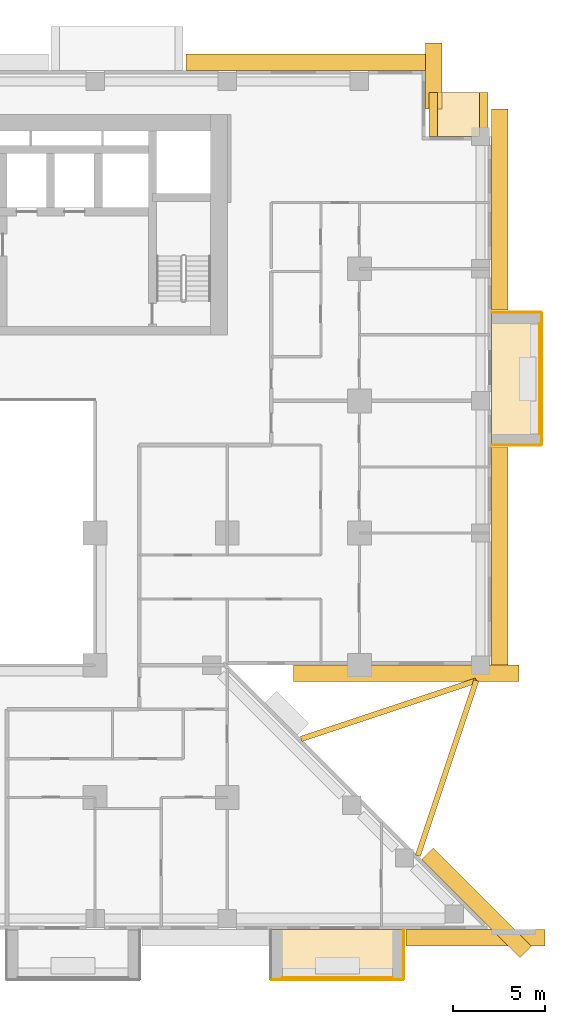
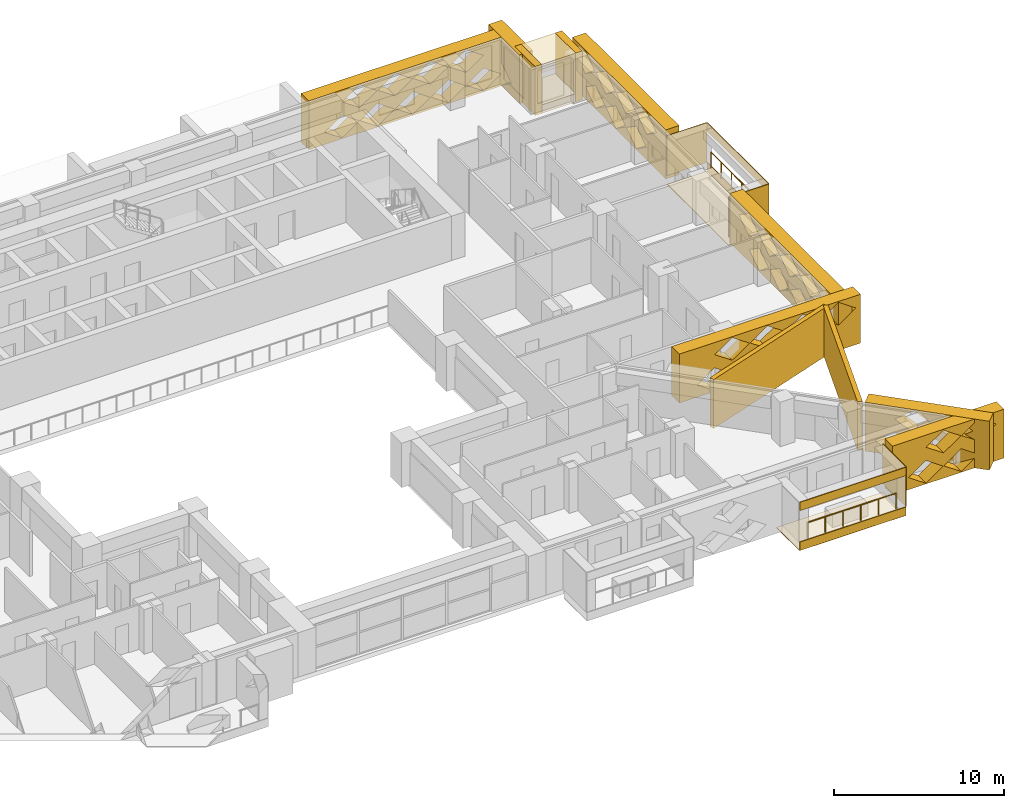
# One storey, part 17 of 17: 22 coverings, 2 railings.
"""IFC4 building model written with IfcOpenShell, lengths in metres."""

from ifc_helpers import new_model, si_unit, direction, frame, origin, origin_2d, place, context, subcontext, project, spatial, polyline, circle, outline, extrude, material, layer, layer_set, type_object, element, save


model = new_model("IFC4")

# Units and contexts
model_context = context("Model", 3, precision=1e-05, world=origin(), true_north=direction((0.0, 1.0)))
body_context = subcontext(model_context, "Body", "Model", "MODEL_VIEW")
ifc_project = project(units=[si_unit("LENGTHUNIT", "METRE"), si_unit("AREAUNIT", "SQUARE_METRE"), si_unit("VOLUMEUNIT", "CUBIC_METRE"), si_unit("PLANEANGLEUNIT", "RADIAN"), si_unit("MASSUNIT", "GRAM", prefix="KILO")], contexts=[model_context])

# Site, building, storey
site_placement = place(None, origin())
site = spatial("IfcSite", under=ifc_project, at=site_placement, CompositionType="ELEMENT")
building_placement = place(site_placement, origin())
building = spatial("IfcBuilding", under=site, at=building_placement, Name="Saffron Iwan Residences", CompositionType="ELEMENT")
storey_placement = place(building_placement, frame((0.0, 0.0, 79.5)))
storey = spatial("IfcBuildingStorey", under=building, at=storey_placement, Name="L20", CompositionType="ELEMENT", Elevation=79.5)

# Railings
ifc_material_1 = material(Name="Stainless steel 316", Category="steel")
railing_type = type_object("IfcRailingType", Name="BALCONY GUARD 1150", PredefinedType="GUARDRAIL", material=ifc_material_1)
railing_1_placement = place(storey_placement, frame((89.02490234375, 60.60009765625, 0.0)))
element("IfcRailing", 1, at=railing_1_placement, inside=storey, type_object=railing_type, Name="Balcony guard L20 F2-0", PredefinedType="GUARDRAIL", context=body_context, shape_type="SweptSolid", body=[
    extrude(circle(Radius=0.02392578125, at=origin_2d()), frame((0.0, 0.0, 1.1259765625), z_axis=(0.0, 1.0, 0.0), x_axis=(-1.0, 0.0, 0.0)), (0.0, 0.0, 1.0), 6.0),
    extrude(circle(Radius=0.02099609375, at=origin_2d()), origin(), (0.0, 0.0, 1.0), 1.101806640625),
    extrude(circle(Radius=0.02099609375, at=origin_2d()), frame((0.0, 1.199951171875, 0.0)), (0.0, 0.0, 1.0), 1.101806640625),
    extrude(circle(Radius=0.02099609375, at=origin_2d()), frame((0.0, 2.39990234375, 0.0)), (0.0, 0.0, 1.0), 1.101806640625),
    extrude(circle(Radius=0.02099609375, at=origin_2d()), frame((0.0, 3.60009765625, 0.0)), (0.0, 0.0, 1.0), 1.101806640625),
    extrude(circle(Radius=0.02099609375, at=origin_2d()), frame((0.0, 4.800048828125, 0.0)), (0.0, 0.0, 1.0), 1.101806640625),
    extrude(circle(Radius=0.02099609375, at=origin_2d()), frame((0.0, 6.0, 0.0)), (0.0, 0.0, 1.0), 1.101806640625),
])
railing_2_placement = place(storey_placement, frame((75.0, 30.97509765625, 0.0)))
element("IfcRailing", 2, at=railing_2_placement, inside=storey, type_object=railing_type, Name="Balcony guard L20 11-2", PredefinedType="GUARDRAIL", context=body_context, shape_type="SweptSolid", body=[
    extrude(circle(Radius=0.02392578125, at=origin_2d()), frame((0.0, 0.0, 1.1259765625), z_axis=(1.0, 0.0, 0.0), x_axis=(0.0, 1.0, 0.0)), (0.0, 0.0, 1.0), 6.0),
    extrude(circle(Radius=0.02099609375, at=origin_2d()), origin(), (0.0, 0.0, 1.0), 1.101806640625),
    extrude(circle(Radius=0.02099609375, at=origin_2d()), frame((1.199951171875, 0.0, 0.0)), (0.0, 0.0, 1.0), 1.101806640625),
    extrude(circle(Radius=0.02099609375, at=origin_2d()), frame((2.39990234375, 0.0, 0.0)), (0.0, 0.0, 1.0), 1.101806640625),
    extrude(circle(Radius=0.02099609375, at=origin_2d()), frame((3.60009765625, 0.0, 0.0)), (0.0, 0.0, 1.0), 1.101806640625),
    extrude(circle(Radius=0.02099609375, at=origin_2d()), frame((4.800048828125, 0.0, 0.0)), (0.0, 0.0, 1.0), 1.101806640625),
    extrude(circle(Radius=0.02099609375, at=origin_2d()), frame((6.0, 0.0, 0.0)), (0.0, 0.0, 1.0), 1.101806640625),
])

# Coverings
ifc_material_2 = material(Name="Precast concrete C40/50 white painted", Category="concrete")
ifc_layer_1 = layer(ifc_material_2, 0.050048828125)
ifc_layer_set_1 = layer_set([ifc_layer_1], Name="Precast concrete C40/50 white painted")
covering_type_1 = type_object("IfcCoveringType", Name="FRAME SKIN PRECAST WHITE 50", PredefinedType="CLADDING", material=ifc_layer_set_1)
for number, where, name in (
    (3, (0.0, 0.0, -0.60009765625), "Frame skin slab edge L20 F2-0"),
    (4, (0.0, 0.0, 2.25), "Frame skin fascia L20 F2-0"),
):
    element("IfcCovering", number, at=place(storey_placement, frame(where)), inside=storey, type_object=covering_type_1, Name=name, PredefinedType="CLADDING", context=body_context, shape_type="SweptSolid", body=[
        extrude(outline(polyline([(89.14990234375, 60.0), (89.14990234375, 67.199951171875), (89.10009765625, 67.199951171875), (89.10009765625, 60.0), (89.14990234375, 60.0)])), origin(), (0.0, 0.0, 1.0), 0.60009765625),
    ])
covering_1_placement = place(storey_placement, frame((0.0, 0.0, -0.64990234375)))
element("IfcCovering", 5, at=covering_1_placement, inside=storey, type_object=covering_type_1, Name="Frame skin soffit L20 F2-0", PredefinedType="CLADDING", context=body_context, shape_type="SweptSolid", body=[
    extrude(outline(polyline([(89.10009765625, 60.0), (89.10009765625, 67.199951171875), (86.39990234375, 67.199951171875), (86.39990234375, 60.0), (89.10009765625, 60.0)])), origin(), (0.0, 0.0, 1.0), 0.0498046875),
])
covering_2_placement = place(storey_placement, origin())
element("IfcCovering", 6, at=covering_2_placement, inside=storey, type_object=covering_type_1, Name="Frame skin fin L20 F2-0a", PredefinedType="CLADDING", context=body_context, shape_type="SweptSolid", body=[
    extrude(outline(polyline([(89.10009765625, 59.949951171875), (89.10009765625, 60.0), (86.39990234375, 60.0), (86.39990234375, 59.949951171875), (89.10009765625, 59.949951171875)])), origin(), (0.0, 0.0, 1.0), 2.85009765625),
])
covering_3_placement = place(storey_placement, origin())
element("IfcCovering", 7, at=covering_3_placement, inside=storey, type_object=covering_type_1, Name="Frame skin fin L20 F2-0b", PredefinedType="CLADDING", context=body_context, shape_type="SweptSolid", body=[
    extrude(outline(polyline([(89.10009765625, 67.199951171875), (89.10009765625, 67.25), (86.39990234375, 67.25), (86.39990234375, 67.199951171875), (89.10009765625, 67.199951171875)])), origin(), (0.0, 0.0, 1.0), 2.85009765625),
])
for number, where, name in (
    (8, (0.0, 0.0, -0.60009765625), "Frame skin slab edge L20 11-2"),
    (9, (0.0, 0.0, 2.25), "Frame skin fascia L20 11-2"),
):
    element("IfcCovering", number, at=place(storey_placement, frame(where)), inside=storey, type_object=covering_type_1, Name=name, PredefinedType="CLADDING", context=body_context, shape_type="SweptSolid", body=[
        extrude(outline(polyline([(74.39990234375, 30.85009765625), (81.60009765625, 30.85009765625), (81.60009765625, 30.89990234375), (74.39990234375, 30.89990234375), (74.39990234375, 30.85009765625)])), origin(), (0.0, 0.0, 1.0), 0.60009765625),
    ])
covering_4_placement = place(storey_placement, frame((0.0, 0.0, -0.64990234375)))
element("IfcCovering", 10, at=covering_4_placement, inside=storey, type_object=covering_type_1, Name="Frame skin soffit L20 11-2", PredefinedType="CLADDING", context=body_context, shape_type="SweptSolid", body=[
    extrude(outline(polyline([(74.39990234375, 30.89990234375), (81.60009765625, 30.89990234375), (81.60009765625, 33.60009765625), (74.39990234375, 33.60009765625), (74.39990234375, 30.89990234375)])), origin(), (0.0, 0.0, 1.0), 0.0498046875),
])
covering_5_placement = place(storey_placement, origin())
element("IfcCovering", 11, at=covering_5_placement, inside=storey, type_object=covering_type_1, Name="Frame skin fin L20 11-2b", PredefinedType="CLADDING", context=body_context, shape_type="SweptSolid", body=[
    extrude(outline(polyline([(81.60009765625, 30.89990234375), (81.64990234375, 30.89990234375), (81.64990234375, 33.60009765625), (81.60009765625, 33.60009765625), (81.60009765625, 30.89990234375)])), origin(), (0.0, 0.0, 1.0), 2.85009765625),
])
ifc_material_3 = material(Name="Precast concrete C40/50", Category="concrete")
covering_type_2 = type_object("IfcCoveringType", Name="OUTER SKIN LATTICE SCREEN", PredefinedType="CLADDING", material=ifc_material_3)
covering_6_placement = place(storey_placement, frame((87.939453125, 32.060546875, -0.320068359375), z_axis=(0.706971125213, 0.70724241114, 0.0), x_axis=(-0.70724241114, 0.706971125213, 0.0)))
element("IfcCovering", 12, at=covering_6_placement, inside=storey, type_object=covering_type_2, Name="OUTER SKIN lattice screen L20 F0.0", PredefinedType="CLADDING", context=body_context, shape_type="SweptSolid", body=[
    extrude(outline(polyline([(0.0, 0.0), (7.559326171875, 0.0), (7.559326171875, 3.5), (0.0, 3.5), (0.0, 0.0)]), holes=[polyline([(2.197021484375, 0.875), (3.377197265625, 0.06005859375), (4.55712890625, 0.875), (3.377197265625, 1.68994140625), (2.197021484375, 0.875)]), polyline([(4.59716796875, 0.875), (5.777099609375, 0.06005859375), (6.95703125, 0.875), (5.777099609375, 1.68994140625), (4.59716796875, 0.875)]), polyline([(0.9970703125, 2.625), (2.177001953125, 1.81005859375), (3.357177734375, 2.625), (2.177001953125, 3.43994140625), (0.9970703125, 2.625)]), polyline([(3.397216796875, 2.625), (4.5771484375, 1.81005859375), (5.757080078125, 2.625), (4.5771484375, 3.43994140625), (3.397216796875, 2.625)])]), origin(), (0.0, 0.0, 1.0), 0.89990234375),
])
covering_7_placement = place(storey_placement, frame((75.6171875, 48.0, -0.320068359375), z_axis=(0.0, -1.0, 0.0), x_axis=(1.0, 0.0, 0.0)))
element("IfcCovering", 13, at=covering_7_placement, inside=storey, type_object=covering_type_2, Name="OUTER SKIN lattice screen L20 F1.0", PredefinedType="CLADDING", context=body_context, shape_type="SweptSolid", body=[
    extrude(outline(polyline([(0.0, 0.0), (12.282958984375, 0.0), (12.282958984375, 3.5), (0.0, 3.5), (0.0, 0.0)]), holes=[polyline([(1.202880859375, 0.875), (2.3828125, 0.06005859375), (3.56298828125, 0.875), (2.3828125, 1.68994140625), (1.202880859375, 0.875)]), polyline([(3.602783203125, 0.875), (4.782958984375, 0.06005859375), (5.962890625, 0.875), (4.782958984375, 1.68994140625), (3.602783203125, 0.875)]), polyline([(6.0029296875, 0.875), (7.182861328125, 0.06005859375), (8.36279296875, 0.875), (7.182861328125, 1.68994140625), (6.0029296875, 0.875)]), polyline([(8.40283203125, 0.875), (9.5830078125, 0.06005859375), (10.762939453125, 0.875), (9.5830078125, 1.68994140625), (8.40283203125, 0.875)]), polyline([(2.40283203125, 2.625), (3.5830078125, 1.81005859375), (4.762939453125, 2.625), (3.5830078125, 3.43994140625), (2.40283203125, 2.625)]), polyline([(4.802978515625, 2.625), (5.98291015625, 1.81005859375), (7.162841796875, 2.625), (5.98291015625, 3.43994140625), (4.802978515625, 2.625)]), polyline([(7.202880859375, 2.625), (8.3828125, 1.81005859375), (9.56298828125, 2.625), (8.3828125, 3.43994140625), (7.202880859375, 2.625)]), polyline([(9.602783203125, 2.625), (10.782958984375, 1.81005859375), (11.962890625, 2.625), (10.782958984375, 3.43994140625), (9.602783203125, 2.625)])]), origin(), (0.0, 0.0, 1.0), 0.89990234375),
])
covering_8_placement = place(storey_placement, frame((86.39990234375, 47.10009765625, -0.320068359375), z_axis=(1.0, 0.0, 0.0), x_axis=(0.0, 1.0, 0.0)))
element("IfcCovering", 14, at=covering_8_placement, inside=storey, type_object=covering_type_2, Name="OUTER SKIN lattice screen L20 F2.0", PredefinedType="CLADDING", context=body_context, shape_type="SweptSolid", body=[
    extrude(outline(polyline([(0.0, 0.0), (12.75, 0.0), (12.75, 3.5), (0.0, 3.5), (0.0, 0.0)]), holes=[polyline([(0.919921875, 0.875), (2.10009765625, 0.06005859375), (3.280029296875, 0.875), (2.10009765625, 1.68994140625), (0.919921875, 0.875)]), polyline([(3.320068359375, 0.875), (4.5, 0.06005859375), (5.679931640625, 0.875), (4.5, 1.68994140625), (3.320068359375, 0.875)]), polyline([(5.719970703125, 0.875), (6.89990234375, 0.06005859375), (8.080078125, 0.875), (6.89990234375, 1.68994140625), (5.719970703125, 0.875)]), polyline([(8.1201171875, 0.875), (9.300048828125, 0.06005859375), (10.47998046875, 0.875), (9.300048828125, 1.68994140625), (8.1201171875, 0.875)]), polyline([(2.1201171875, 2.625), (3.300048828125, 1.81005859375), (4.47998046875, 2.625), (3.300048828125, 3.43994140625), (2.1201171875, 2.625)]), polyline([(4.52001953125, 2.625), (5.699951171875, 1.81005859375), (6.8798828125, 2.625), (5.699951171875, 3.43994140625), (4.52001953125, 2.625)]), polyline([(6.919921875, 2.625), (8.10009765625, 1.81005859375), (9.280029296875, 2.625), (8.10009765625, 3.43994140625), (6.919921875, 2.625)]), polyline([(9.320068359375, 2.625), (10.5, 1.81005859375), (11.679931640625, 2.625), (10.5, 3.43994140625), (9.320068359375, 2.625)])]), origin(), (0.0, 0.0, 1.0), 0.900146484375),
])
covering_9_placement = place(storey_placement, frame((86.39990234375, 67.35009765625, -0.320068359375), z_axis=(1.0, 0.0, 0.0), x_axis=(0.0, 1.0, 0.0)))
element("IfcCovering", 15, at=covering_9_placement, inside=storey, type_object=covering_type_2, Name="OUTER SKIN lattice screen L20 F2.1", PredefinedType="CLADDING", context=body_context, shape_type="SweptSolid", body=[
    extrude(outline(polyline([(0.0, 0.0), (10.949951171875, 0.0), (10.949951171875, 3.5), (0.0, 3.5), (0.0, 0.0)]), holes=[polyline([(2.27001953125, 0.875), (3.449951171875, 0.06005859375), (4.6298828125, 0.875), (3.449951171875, 1.68994140625), (2.27001953125, 0.875)]), polyline([(4.669921875, 0.875), (5.85009765625, 0.06005859375), (7.030029296875, 0.875), (5.85009765625, 1.68994140625), (4.669921875, 0.875)]), polyline([(7.070068359375, 0.875), (8.25, 0.06005859375), (9.429931640625, 0.875), (8.25, 1.68994140625), (7.070068359375, 0.875)]), polyline([(1.070068359375, 2.625), (2.25, 1.81005859375), (3.429931640625, 2.625), (2.25, 3.43994140625), (1.070068359375, 2.625)]), polyline([(3.469970703125, 2.625), (4.64990234375, 1.81005859375), (5.830078125, 2.625), (4.64990234375, 3.43994140625), (3.469970703125, 2.625)]), polyline([(5.8701171875, 2.625), (7.050048828125, 1.81005859375), (8.22998046875, 2.625), (7.050048828125, 3.43994140625), (5.8701171875, 2.625)]), polyline([(8.27001953125, 2.625), (9.449951171875, 1.81005859375), (10.6298828125, 2.625), (9.449951171875, 3.43994140625), (8.27001953125, 2.625)])]), origin(), (0.0, 0.0, 1.0), 0.900146484375),
])
covering_10_placement = place(storey_placement, frame((82.800048828125, 78.300048828125, -0.320068359375), z_axis=(1.0, 0.0, 0.0), x_axis=(0.0, 1.0, 0.0)))
element("IfcCovering", 16, at=covering_10_placement, inside=storey, type_object=covering_type_2, Name="OUTER SKIN lattice screen L20 F4.0", PredefinedType="CLADDING", context=body_context, shape_type="SweptSolid", body=[
    extrude(outline(polyline([(0.0, 0.0), (3.60009765625, 0.0), (3.60009765625, 3.5), (0.0, 3.5), (0.0, 0.0)]), holes=[polyline([(0.919921875, 0.875), (2.10009765625, 0.06005859375), (3.280029296875, 0.875), (2.10009765625, 1.68994140625), (0.919921875, 0.875)])]), origin(), (0.0, 0.0, 1.0), 0.89990234375),
])
covering_11_placement = place(storey_placement, frame((83.699951171875, 80.39990234375, -0.320068359375), z_axis=(0.0, 1.0, 0.0), x_axis=(-1.0, 0.0, 0.0)))
element("IfcCovering", 17, at=covering_11_placement, inside=storey, type_object=covering_type_2, Name="OUTER SKIN lattice screen L20 F5.0", PredefinedType="CLADDING", context=body_context, shape_type="SweptSolid", body=[
    extrude(outline(polyline([(0.0, 0.0), (13.949951171875, 0.0), (13.949951171875, 3.5), (0.0, 3.5), (0.0, 0.0)]), holes=[polyline([(0.919921875, 0.875), (2.10009765625, 0.06005859375), (3.280029296875, 0.875), (2.10009765625, 1.68994140625), (0.919921875, 0.875)]), polyline([(3.320068359375, 0.875), (4.5, 0.06005859375), (5.679931640625, 0.875), (4.5, 1.68994140625), (3.320068359375, 0.875)]), polyline([(5.719970703125, 0.875), (6.89990234375, 0.06005859375), (8.080078125, 0.875), (6.89990234375, 1.68994140625), (5.719970703125, 0.875)]), polyline([(8.1201171875, 0.875), (9.300048828125, 0.06005859375), (10.47998046875, 0.875), (9.300048828125, 1.68994140625), (8.1201171875, 0.875)]), polyline([(10.52001953125, 0.875), (11.699951171875, 0.06005859375), (12.8798828125, 0.875), (11.699951171875, 1.68994140625), (10.52001953125, 0.875)]), polyline([(2.1201171875, 2.625), (3.300048828125, 1.81005859375), (4.47998046875, 2.625), (3.300048828125, 3.43994140625), (2.1201171875, 2.625)]), polyline([(4.52001953125, 2.625), (5.699951171875, 1.81005859375), (6.8798828125, 2.625), (5.699951171875, 3.43994140625), (4.52001953125, 2.625)]), polyline([(6.919921875, 2.625), (8.10009765625, 1.81005859375), (9.280029296875, 2.625), (8.10009765625, 3.43994140625), (6.919921875, 2.625)]), polyline([(9.320068359375, 2.625), (10.5, 1.81005859375), (11.679931640625, 2.625), (10.5, 3.43994140625), (9.320068359375, 2.625)])]), origin(), (0.0, 0.0, 1.0), 0.900146484375),
])
covering_12_placement = place(storey_placement, frame((81.75, 33.60009765625, -0.320068359375), z_axis=(0.0, -1.0, 0.0), x_axis=(1.0, 0.0, 0.0)))
element("IfcCovering", 18, at=covering_12_placement, inside=storey, type_object=covering_type_2, Name="OUTER SKIN lattice screen L20 F11.3", PredefinedType="CLADDING", context=body_context, shape_type="SweptSolid", body=[
    extrude(outline(polyline([(0.0, 0.0), (7.547119140625, 0.0), (7.547119140625, 3.5), (0.0, 3.5), (0.0, 0.0)]), holes=[polyline([(1.070068359375, 0.875), (2.25, 0.06005859375), (3.429931640625, 0.875), (2.25, 1.68994140625), (1.070068359375, 0.875)]), polyline([(3.469970703125, 0.875), (4.64990234375, 0.06005859375), (5.830078125, 0.875), (4.64990234375, 1.68994140625), (3.469970703125, 0.875)]), polyline([(2.27001953125, 2.625), (3.449951171875, 1.81005859375), (4.6298828125, 2.625), (3.449951171875, 3.43994140625), (2.27001953125, 2.625)]), polyline([(4.669921875, 2.625), (5.85009765625, 1.81005859375), (7.030029296875, 2.625), (5.85009765625, 3.43994140625), (4.669921875, 2.625)])]), origin(), (0.0, 0.0, 1.0), 0.900146484375),
])
ifc_layer_2 = layer(ifc_material_2, 0.300048828125)
ifc_layer_set_2 = layer_set([ifc_layer_2], Name="Precast concrete C40/50 white painted")
covering_type_3 = type_object("IfcCoveringType", Name="PROW NOSE BLADE PRECAST WHITE", PredefinedType="CLADDING", material=ifc_layer_set_2)
covering_13_placement = place(storey_placement, frame((0.0, 0.0, -0.320068359375)))
element("IfcCovering", 19, at=covering_13_placement, inside=storey, type_object=covering_type_3, Name="Prow nose blade L20 a", PredefinedType="CLADDING", context=body_context, shape_type="SweptSolid", body=[
    extrude(outline(polyline([(82.5244140625, 37.570556640625), (85.706298828125, 47.116455078125), (85.421630859375, 47.21142578125), (82.23974609375, 37.66552734375), (82.5244140625, 37.570556640625)])), origin(), (0.0, 0.0, 1.0), 3.5),
])
covering_14_placement = place(storey_placement, frame((0.0, 0.0, -0.320068359375)))
element("IfcCovering", 20, at=covering_14_placement, inside=storey, type_object=covering_type_3, Name="Prow nose blade L20 b", PredefinedType="CLADDING", context=body_context, shape_type="SweptSolid", body=[
    extrude(outline(polyline([(76.0654296875, 43.839599609375), (85.611328125, 47.021728515625), (85.5166015625, 47.306396484375), (75.970703125, 44.124267578125), (76.0654296875, 43.839599609375)])), origin(), (0.0, 0.0, 1.0), 3.5),
])
covering_type_4 = type_object("IfcCoveringType", Name="WHITE SUN FRAME PRECAST", PredefinedType="CLADDING", material=ifc_material_2)
for number, where, z_axis, x_axis, name in (
    (21, (86.199951171875, 76.800048828125, -0.320068359375), (0.0, 1.0, 0.0), (-1.0, 0.0, 0.0), "Sun frame L20 F3 0.2a"),
    (22, (83.449951171875, 76.800048828125, -0.320068359375), (0.0, 1.0, 0.0), (-1.0, 0.0, 0.0), "Sun frame L20 F3 0.2b"),
):
    element("IfcCovering", number, at=place(storey_placement, frame(where, z_axis=z_axis, x_axis=x_axis)), inside=storey, type_object=covering_type_4, Name=name, PredefinedType="CLADDING", context=body_context, shape_type="SweptSolid", body=[
        extrude(outline(polyline([(0.0, 0.0), (0.449951171875, 0.0), (0.449951171875, 3.5), (0.0, 3.5), (0.0, 0.0)])), origin(), (0.0, 0.0, 1.0), 2.39990234375),
    ])
for number, where, z_axis, x_axis, name in (
    (23, (85.75, 76.800048828125, 2.580078125), (0.0, 1.0, 0.0), (-1.0, 0.0, 0.0), "Sun frame L20 F3 0.2h"),
    (24, (85.75, 76.800048828125, -0.320068359375), (0.0, 1.0, 0.0), (-1.0, 0.0, 0.0), "Sun frame L20 F3 0.2s"),
):
    element("IfcCovering", number, at=place(storey_placement, frame(where, z_axis=z_axis, x_axis=x_axis)), inside=storey, type_object=covering_type_4, Name=name, PredefinedType="CLADDING", context=body_context, shape_type="SweptSolid", body=[
        extrude(outline(polyline([(0.0, 0.0), (2.300048828125, 0.0), (2.300048828125, 0.60009765625), (0.0, 0.60009765625), (0.0, 0.0)])), origin(), (0.0, 0.0, 1.0), 2.39990234375),
    ])

save(model, "model.ifc")
